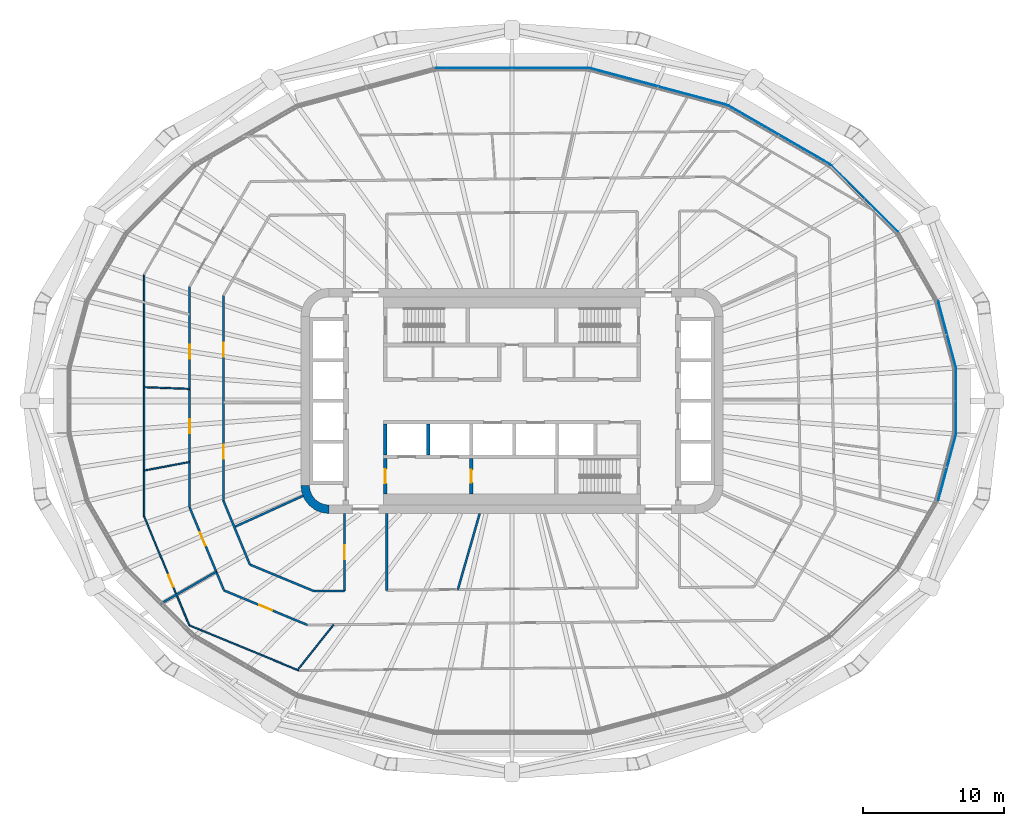
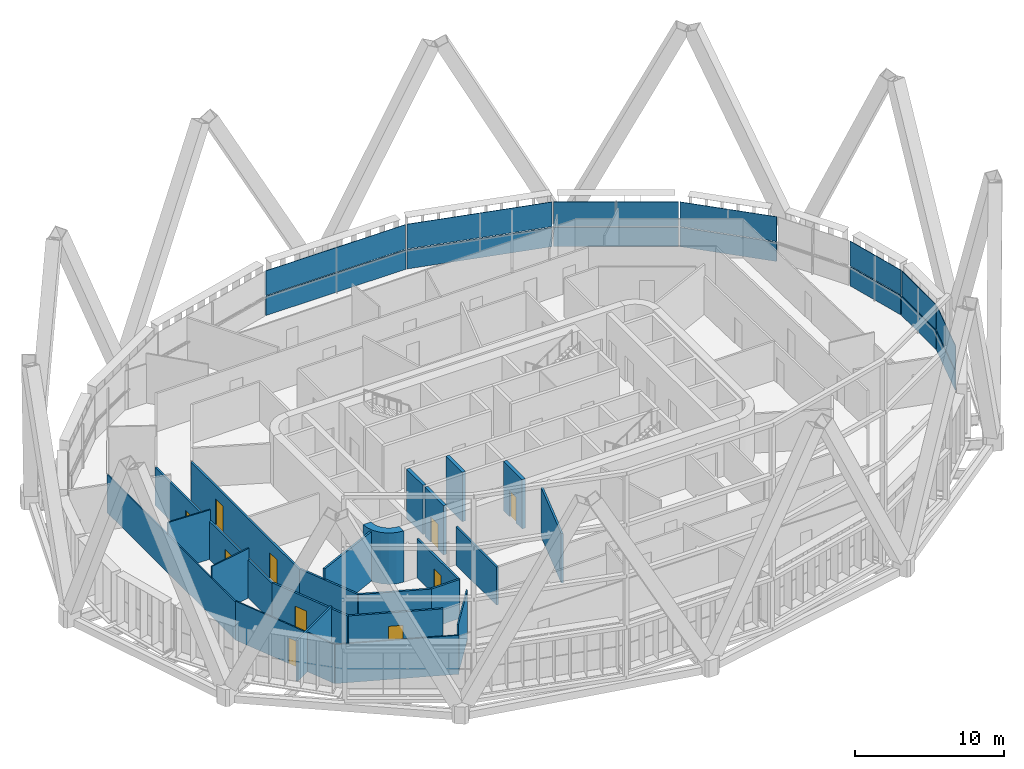
# One storey, part 13 of 25: 23 walls, 14 plates, 10 doors, 10 openings, 7 elements without a shape of their own.
"""IFC4 building model written with IfcOpenShell, lengths in metres."""

import ifcopenshell
import ifcopenshell.guid

model = None  # the IFC model being written
_history = None  # IfcOwnerHistory: only IFC2X3 demands one
_inside = {}  # id of a spatial element -> (the spatial element, [elements in it])
_under = {}  # id of a project, library or spatial element -> (it, [spatial elements below it])
_declared = {}  # id of a project -> (the project, [libraries it declares])
_typed = {}  # id of a type object -> (the type object, [elements of that type])
_made_of = {}  # id of a material, layer set ... -> (it, [elements and type objects made of it])


def new_model(schema):
    """Start an empty IFC model of exactly this schema.

    Asked for "IFC4X3", IfcOpenShell would pick the latest addendum, in which some entities
    have other attributes; the version numbers below select the first issue.
    IFC2X3 requires an IfcOwnerHistory on every rooted entity: one is made here for all.
    """
    global model, _history
    if schema == "IFC4X3":
        model = ifcopenshell.file(schema_version=(4, 3, 0, 0))
    else:
        model = ifcopenshell.file(schema=schema)
    _inside.clear()
    _under.clear()
    _declared.clear()
    _typed.clear()
    _made_of.clear()
    _history = None
    if model.schema == "IFC2X3":
        org = make("IfcOrganization", Name="unknown")
        user = make(
            "IfcPersonAndOrganization",
            ThePerson=make("IfcPerson", FamilyName="unknown"),
            TheOrganization=org,
        )
        app = make(
            "IfcApplication",
            ApplicationDeveloper=org,
            Version="unknown",
            ApplicationFullName="unknown",
            ApplicationIdentifier="unknown",
        )
        _history = make(
            "IfcOwnerHistory",
            OwningUser=user,
            OwningApplication=app,
            ChangeAction="ADDED",
            CreationDate=0,
        )
    return model


def make(cls, **values):
    """One entity of the class cls with the attributes given. An attribute that is None is left unset."""
    return model.create_entity(
        cls, **{name: value for name, value in values.items() if value is not None}
    )


def rooted(cls, **values):
    """An entity with a GlobalId (a new one), such as an element, a storey or a relation."""
    return make(cls, GlobalId=ifcopenshell.guid.new(), OwnerHistory=_history, **values)


def si_unit(unit_type, name, prefix=None):
    """IfcSIUnit, for example si_unit("LENGTHUNIT", "METRE", prefix="MILLI")."""
    return make("IfcSIUnit", UnitType=unit_type, Prefix=prefix, Name=name)


def assignment(units):
    """IfcUnitAssignment: the units of a project."""
    return None if units is None else make("IfcUnitAssignment", Units=units)


def point(xyz):
    """IfcCartesianPoint."""
    return None if xyz is None else make("IfcCartesianPoint", Coordinates=xyz)


def direction(xyz):
    """IfcDirection."""
    return None if xyz is None else make("IfcDirection", DirectionRatios=xyz)


def frame(location, z_axis=None, x_axis=None):
    """IfcAxis2Placement3D, a coordinate frame: its origin and axes. An axis left out is left unset."""
    return make(
        "IfcAxis2Placement3D",
        Location=point(location),
        Axis=direction(z_axis),
        RefDirection=direction(x_axis),
    )


def frame_2d(location, x_axis=None):
    """IfcAxis2Placement2D, a coordinate frame in the plane: its origin and x axis."""
    return make(
        "IfcAxis2Placement2D", Location=point(location), RefDirection=direction(x_axis)
    )


def origin():
    """The frame at (0, 0, 0) with its axes left unset."""
    return frame((0.0, 0.0, 0.0))


def place(relative_to, where):
    """IfcLocalPlacement: puts the frame where relative to a parent placement (None: the world)."""
    return make(
        "IfcLocalPlacement", PlacementRelTo=relative_to, RelativePlacement=where
    )


def context(
    kind, dimensions, precision=None, world=None, true_north=None, identifier=None
):
    """IfcGeometricRepresentationContext, for example the 3D "Model" context."""
    return make(
        "IfcGeometricRepresentationContext",
        ContextIdentifier=identifier,
        ContextType=kind,
        CoordinateSpaceDimension=dimensions,
        Precision=precision,
        WorldCoordinateSystem=world,
        TrueNorth=true_north,
    )


def subcontext(parent, identifier, kind, view, scale=None):
    """IfcGeometricRepresentationSubContext, for example "Body" below "Model"."""
    return make(
        "IfcGeometricRepresentationSubContext",
        ContextIdentifier=identifier,
        ContextType=kind,
        ParentContext=parent,
        TargetScale=scale,
        TargetView=view,
    )


def project(units=None, contexts=None):
    """IfcProject with its units and contexts."""
    return rooted(
        "IfcProject",
        Name="project",
        RepresentationContexts=contexts,
        UnitsInContext=assignment(units),
    )


def spatial(cls, under=None, at=None, **own):
    """A site, building, storey or space (cls), placed at a placement, below another one or the project."""
    s = rooted(cls, ObjectPlacement=at, **own)
    if under is not None:
        _under.setdefault(under.id(), (under, []))[1].append(s)
    return s


def polyline(points):
    """IfcPolyline through the points."""
    return make("IfcPolyline", Points=[point(p) for p in points])


def profile(cls, at=None, kind="AREA", **sizes):
    """A parametric profile (cls). Its sizes go by their IFC names, for example OverallWidth=200.0."""
    return make(cls, ProfileType=kind, Position=at, **sizes)


def rectangle(**sizes):
    """IfcRectangleProfileDef."""
    return profile("IfcRectangleProfileDef", **sizes)


def outline(outer, holes=None, kind="AREA"):
    """IfcArbitraryClosedProfileDef: a profile drawn as a closed curve; with holes, ...WithVoids."""
    if holes is None:
        return make("IfcArbitraryClosedProfileDef", ProfileType=kind, OuterCurve=outer)
    return make(
        "IfcArbitraryProfileDefWithVoids",
        ProfileType=kind,
        OuterCurve=outer,
        InnerCurves=holes,
    )


def extrude(swept, where, along, depth):
    """IfcExtrudedAreaSolid: the profile swept, set in the frame where, extruded along a direction by depth."""
    return make(
        "IfcExtrudedAreaSolid",
        SweptArea=swept,
        Position=where,
        ExtrudedDirection=direction(along),
        Depth=depth,
    )


def shape(context_of_items, identifier, shape_type, items):
    """IfcShapeRepresentation: the items that make up one representation, for example the "Body"."""
    return make(
        "IfcShapeRepresentation",
        ContextOfItems=context_of_items,
        RepresentationIdentifier=identifier,
        RepresentationType=shape_type,
        Items=items,
    )


def material(Name=None, Category=None):
    """IfcMaterial."""
    return make("IfcMaterial", Name=Name, Category=Category)


def layer(
    of_material, thickness, ventilated=None, Name=None, Category=None, Priority=None
):
    """IfcMaterialLayer: one layer of a wall or slab, of a material (None: an air gap)."""
    return make(
        "IfcMaterialLayer",
        Material=of_material,
        LayerThickness=thickness,
        IsVentilated=ventilated,
        Name=Name,
        Category=Category,
        Priority=Priority,
    )


def layer_set(layers, Name=None):
    """IfcMaterialLayerSet."""
    return make("IfcMaterialLayerSet", MaterialLayers=layers, LayerSetName=Name)


def made_of(thing, what):
    """Note that an element or type object is made of a material, layer set ...; save() writes the relation."""
    if what is not None:
        _made_of.setdefault(what.id(), (what, []))[1].append(thing)
    return thing


def type_object(cls, material=None, **own):
    """A type object (cls), such as IfcWallType, which elements share."""
    return made_of(rooted(cls, **own), material)


def element(
    cls,
    number,
    at=None,
    inside=None,
    cuts=None,
    type_object=None,
    material=None,
    context=None,
    identifier="Body",
    shape_type=None,
    held_by="IfcProductDefinitionShape",
    body=None,
    shapes=None,
    **own,
):
    """One element of the class cls, such as IfcWall. Its Tag is "e" and its number.

    at: its placement. inside: the storey or other place that contains it. cuts: it is an
    opening in that element (IfcRelVoidsElement). A single representation is given by context,
    identifier, shape_type and body (its items); several are given by shapes. held_by: the class
    of the entity that holds the representations. save() writes the other relations.
    """
    e = rooted(cls, Tag="e%d" % number, ObjectPlacement=at, **own)
    if body is not None:
        shapes = [shape(context, identifier, shape_type, body)]
    if shapes is not None:
        e.Representation = make(held_by, Representations=shapes)
    if inside is not None:
        _inside.setdefault(inside.id(), (inside, []))[1].append(e)
    if cuts is not None:
        rooted(
            "IfcRelVoidsElement", RelatingBuildingElement=cuts, RelatedOpeningElement=e
        )
    if type_object is not None:
        _typed.setdefault(type_object.id(), (type_object, []))[1].append(e)
    return made_of(e, material)


def fill(opening, filler):
    """IfcRelFillsElement: the door or window that sits in an opening."""
    return rooted(
        "IfcRelFillsElement",
        RelatingOpeningElement=opening,
        RelatedBuildingElement=filler,
    )


def aggregate(whole, parts):
    """IfcRelAggregates: a whole, such as a stair, and the parts it consists of."""
    return rooted("IfcRelAggregates", RelatingObject=whole, RelatedObjects=parts)


def save(model, path):
    """Write the relations noted so far, then the file.

    IfcRelAggregates (storeys below a building ...), IfcRelContainedInSpatialStructure (elements
    in a storey), IfcRelDefinesByType, IfcRelAssociatesMaterial and IfcRelDeclares: one each for
    every whole, place, type object, material and project.
    """
    for whole, parts in _under.values():
        aggregate(whole, parts)
    for where, things in _inside.values():
        rooted(
            "IfcRelContainedInSpatialStructure",
            RelatedElements=things,
            RelatingStructure=where,
        )
    for kind, things in _typed.values():
        rooted("IfcRelDefinesByType", RelatedObjects=things, RelatingType=kind)
    for what, things in _made_of.values():
        rooted("IfcRelAssociatesMaterial", RelatedObjects=things, RelatingMaterial=what)
    for by, libraries in _declared.values():
        rooted("IfcRelDeclares", RelatingContext=by, RelatedDefinitions=libraries)
    model.write(path)


model = new_model("IFC4")

# Units and contexts
model_context = context("Model", 3, precision=1e-05, world=origin(), true_north=direction((0.0, 1.0)))
body_context = subcontext(model_context, "Body", "Model", "MODEL_VIEW")
ifc_project = project(units=[si_unit("LENGTHUNIT", "METRE"), si_unit("AREAUNIT", "SQUARE_METRE"), si_unit("VOLUMEUNIT", "CUBIC_METRE"), si_unit("PLANEANGLEUNIT", "RADIAN"), si_unit("MASSUNIT", "GRAM", prefix="KILO")], contexts=[model_context])

# Site, building, storey
site_placement = place(None, origin())
site = spatial("IfcSite", under=ifc_project, at=site_placement, CompositionType="ELEMENT")
building_placement = place(site_placement, origin())
building = spatial("IfcBuilding", under=site, at=building_placement, Name="Sahrelin Media Tower", CompositionType="ELEMENT")
storey_placement = place(building_placement, frame((0.0, 0.0, 79.800048828125)))
storey = spatial("IfcBuildingStorey", under=building, at=storey_placement, Name="L14", CompositionType="ELEMENT", Elevation=79.800048828125)

# Curtain wall, plate
ifc_material_1 = material(Name="Champagne anodised aluminium 6063-T6", Category="aluminium")
ifc_layer_1 = layer(ifc_material_1, 0.14990234375)
ifc_layer_set_1 = layer_set([ifc_layer_1], Name="Tower ribbon curtain wall")
curtain_wall_type = type_object("IfcCurtainWallType", Name="Tower ribbon curtain wall", PredefinedType="NOTDEFINED", material=ifc_layer_set_1)
curtain_wall_1_placement = place(storey_placement, frame((31.552490234375, 0.0, 0.0), z_axis=(0.0, 0.0, 1.0), x_axis=(1.0, 0.0, 0.0)))
curtain_wall_1 = element("IfcCurtainWall", 1, at=curtain_wall_1_placement, inside=storey, type_object=curtain_wall_type, Name="L14:CW:L14-00", PredefinedType="NOTDEFINED")
ifc_material_2 = material(Name="Clear low-iron glazing", Category="glass")
ifc_layer_2 = layer(ifc_material_2, 0.0400390625)
ifc_layer_set_2 = layer_set([ifc_layer_2], Name="Glazing panel 40 mm CW1")
plate_type_1 = type_object("IfcPlateType", Name="Glazing panel 40 mm CW1", PredefinedType="CURTAIN_PANEL", material=ifc_layer_set_2)
plate_1_placement = place(storey_placement, frame((31.572509765625, -2.30419921875, 1.6298828125), z_axis=(1.0, 0.0, 0.0), x_axis=(0.0, 1.0, 0.0)))
plate_1 = element("IfcPlate", 2, at=plate_1_placement, type_object=plate_type_1, Name="L14:CWP2:L14-00", PredefinedType="CURTAIN_PANEL", context=body_context, shape_type="SweptSolid", body=[
    extrude(outline(polyline([(0.0, 0.0), (4.6083984375, 0.0), (4.6083984375, 2.0185546875), (0.0, 2.0185546875), (0.0, 0.0)])), origin(), (0.0, 0.0, -1.0), 0.0400390625),
])

curtain_wall_2_placement = place(storey_placement, frame((30.915283203125, 4.732666015625, 0.0), z_axis=(0.0, 0.0, 1.0), x_axis=(1.0, 0.0, 0.0)))
curtain_wall_2 = element("IfcCurtainWall", 3, at=curtain_wall_2_placement, inside=storey, type_object=curtain_wall_type, Name="L14:CW:L14-01", PredefinedType="NOTDEFINED")
plate_2_placement = place(storey_placement, frame((31.55908203125, 2.40771484375, 1.6298828125), z_axis=(0.965920945215, 0.258837260833, 0.0), x_axis=(-0.258837260833, 0.965920945215, 0.0)))
plate_2 = element("IfcPlate", 4, at=plate_2_placement, type_object=plate_type_1, Name="L14:CWP2:L14-01", PredefinedType="CURTAIN_PANEL", context=body_context, shape_type="SweptSolid", body=[
    extrude(outline(polyline([(0.0, 0.0), (4.824462890625, 0.0), (4.824462890625, 2.0185546875), (0.0, 2.0185546875), (0.0, 0.0)])), origin(), (0.0, 0.0, -1.0), 0.0400390625),
])

curtain_wall_3_placement = place(storey_placement, frame((25.067138671875, 14.373291015625, 0.0), z_axis=(0.0, 0.0, 1.0), x_axis=(1.0, 0.0, 0.0)))
curtain_wall_3 = element("IfcCurtainWall", 5, at=curtain_wall_3_placement, inside=storey, type_object=curtain_wall_type, Name="L14:CW:L14-03", PredefinedType="NOTDEFINED")
plate_3_placement = place(storey_placement, frame((27.454345703125, 12.014404296875, 1.6298828125), z_axis=(0.707106781187, 0.707106781187, 0.0), x_axis=(-0.707106781187, 0.707106781187, 0.0)))
plate_3 = element("IfcPlate", 6, at=plate_3_placement, type_object=plate_type_1, Name="L14:CWP2:L14-03", PredefinedType="CURTAIN_PANEL", context=body_context, shape_type="SweptSolid", body=[
    extrude(outline(polyline([(0.0, 0.0), (6.7119140625, 0.0), (6.7119140625, 2.0185546875), (0.0, 2.0185546875), (0.0, 0.0)])), origin(), (0.0, 0.0, -1.0), 0.0400390625),
])

curtain_wall_4_placement = place(storey_placement, frame((18.980712890625, 18.905029296875, 0.0), z_axis=(0.0, 0.0, 1.0), x_axis=(1.0, 0.0, 0.0)))
curtain_wall_4 = element("IfcCurtainWall", 7, at=curtain_wall_4_placement, inside=storey, type_object=curtain_wall_type, Name="L14:CW:L14-04", PredefinedType="NOTDEFINED")
plate_4_placement = place(storey_placement, frame((22.62548828125, 16.823974609375, 1.6298828125), z_axis=(0.500008632582, 0.866020419704, 0.0), x_axis=(-0.866020419704, 0.500008632582, 0.0)))
plate_4 = element("IfcPlate", 8, at=plate_4_placement, type_object=plate_type_1, Name="L14:CWP2:L14-04", PredefinedType="CURTAIN_PANEL", context=body_context, shape_type="SweptSolid", body=[
    extrude(outline(polyline([(0.0, 0.0), (8.393798828125, 0.0), (8.393798828125, 2.0185546875), (0.0, 2.0185546875), (0.0, 0.0)])), origin(), (0.0, 0.0, -1.0), 0.0400390625),
])

curtain_wall_5_placement = place(storey_placement, frame((10.385009765625, 22.346435546875, 0.0), z_axis=(0.0, 0.0, 1.0), x_axis=(1.0, 0.0, 0.0)))
curtain_wall_5 = element("IfcCurtainWall", 9, at=curtain_wall_5_placement, inside=storey, type_object=curtain_wall_type, Name="L14:CW:L14-05", PredefinedType="NOTDEFINED")
plate_5_placement = place(storey_placement, frame((15.259765625, 21.060791015625, 1.6298828125), z_axis=(0.258824439285, 0.965924380906, 0.0), x_axis=(-0.965924380906, 0.258824439285, 0.0)))
plate_5 = element("IfcPlate", 10, at=plate_5_placement, type_object=plate_type_1, Name="L14:CWP2:L14-05", PredefinedType="CURTAIN_PANEL", context=body_context, shape_type="SweptSolid", body=[
    extrude(outline(polyline([(0.0, 0.0), (10.08251953125, 0.0), (10.08251953125, 2.0185546875), (0.0, 2.0185546875), (0.0, 0.0)])), origin(), (0.0, 0.0, -1.0), 0.0400390625),
])

curtain_wall_6_placement = place(storey_placement, frame((0.0, 23.6640625, 0.0), z_axis=(0.0, 0.0, 1.0), x_axis=(1.0, 0.0, 0.0)))
curtain_wall_6 = element("IfcCurtainWall", 11, at=curtain_wall_6_placement, inside=storey, type_object=curtain_wall_type, Name="L14:CW:L14-06", PredefinedType="NOTDEFINED")
plate_6_placement = place(storey_placement, frame((5.417236328125, 23.68408203125, 1.6298828125), z_axis=(0.0, 1.0, 0.0), x_axis=(-1.0, 0.0, 0.0)))
plate_6 = element("IfcPlate", 12, at=plate_6_placement, type_object=plate_type_1, Name="L14:CWP2:L14-06", PredefinedType="CURTAIN_PANEL", context=body_context, shape_type="SweptSolid", body=[
    extrude(outline(polyline([(0.0, 0.0), (10.83447265625, 0.0), (10.83447265625, 2.0185546875), (0.0, 2.0185546875), (0.0, 0.0)])), origin(), (0.0, 0.0, -1.0), 0.0400390625),
])

curtain_wall_7_placement = place(storey_placement, frame((30.915283203125, -4.732666015625, 0.0), z_axis=(0.0, 0.0, 1.0), x_axis=(1.0, 0.0, 0.0)))
curtain_wall_7 = element("IfcCurtainWall", 13, at=curtain_wall_7_placement, inside=storey, type_object=curtain_wall_type, Name="L14:CW:L14-23", PredefinedType="NOTDEFINED")
plate_7_placement = place(storey_placement, frame((30.310302734375, -7.06787109375, 1.6298828125), z_axis=(0.965920945215, -0.258837260833, 0.0), x_axis=(0.258837260833, 0.965920945215, 0.0)))
plate_7 = element("IfcPlate", 14, at=plate_7_placement, type_object=plate_type_1, Name="L14:CWP2:L14-23", PredefinedType="CURTAIN_PANEL", context=body_context, shape_type="SweptSolid", body=[
    extrude(outline(polyline([(0.0, 0.0), (4.824462890625, 0.0), (4.824462890625, 2.0185546875), (0.0, 2.0185546875), (0.0, 0.0)])), origin(), (0.0, 0.0, -1.0), 0.0400390625),
])

# Plate
ifc_material_3 = material(Name="Insulated spandrel panel")
ifc_layer_3 = layer(ifc_material_3, 0.06005859375)
ifc_layer_set_3 = layer_set([ifc_layer_3], Name="Spandrel panel 60 mm CW1")
plate_type_2 = type_object("IfcPlateType", Name="Spandrel panel 60 mm CW1", PredefinedType="SHEET", material=ifc_layer_set_3)
plate_8_placement = place(storey_placement, frame((31.572509765625, -2.30419921875, 0.0), z_axis=(1.0, 0.0, 0.0), x_axis=(0.0, 1.0, 0.0)))
plate_8 = element("IfcPlate", 15, at=plate_8_placement, type_object=plate_type_2, Name="L14:CWP1:L14-00", PredefinedType="SHEET", context=body_context, shape_type="SweptSolid", body=[
    extrude(outline(polyline([(0.0, 0.0), (4.6083984375, 0.0), (4.6083984375, 1.570068359375), (0.0, 1.570068359375), (0.0, 0.0)])), origin(), (0.0, 0.0, -1.0), 0.06005859375),
])

aggregate(curtain_wall_1, [plate_8, plate_1])

plate_9_placement = place(storey_placement, frame((31.55908203125, 2.40771484375, 0.0), z_axis=(0.965920945215, 0.258837260833, 0.0), x_axis=(-0.258837260833, 0.965920945215, 0.0)))
plate_9 = element("IfcPlate", 16, at=plate_9_placement, type_object=plate_type_2, Name="L14:CWP1:L14-01", PredefinedType="SHEET", context=body_context, shape_type="SweptSolid", body=[
    extrude(outline(polyline([(0.0, 0.0), (4.824462890625, 0.0), (4.824462890625, 1.570068359375), (0.0, 1.570068359375), (0.0, 0.0)])), origin(), (0.0, 0.0, -1.0), 0.06005859375),
])

aggregate(curtain_wall_2, [plate_9, plate_2])

plate_10_placement = place(storey_placement, frame((27.454345703125, 12.014404296875, 0.0), z_axis=(0.707106781187, 0.707106781187, 0.0), x_axis=(-0.707106781187, 0.707106781187, 0.0)))
plate_10 = element("IfcPlate", 17, at=plate_10_placement, type_object=plate_type_2, Name="L14:CWP1:L14-03", PredefinedType="SHEET", context=body_context, shape_type="SweptSolid", body=[
    extrude(outline(polyline([(0.0, 0.0), (6.7119140625, 0.0), (6.7119140625, 1.570068359375), (0.0, 1.570068359375), (0.0, 0.0)])), origin(), (0.0, 0.0, -1.0), 0.06005859375),
])

aggregate(curtain_wall_3, [plate_10, plate_3])

plate_11_placement = place(storey_placement, frame((22.62548828125, 16.823974609375, 0.0), z_axis=(0.500008632582, 0.866020419704, 0.0), x_axis=(-0.866020419704, 0.500008632582, 0.0)))
plate_11 = element("IfcPlate", 18, at=plate_11_placement, type_object=plate_type_2, Name="L14:CWP1:L14-04", PredefinedType="SHEET", context=body_context, shape_type="SweptSolid", body=[
    extrude(outline(polyline([(0.0, 0.0), (8.393798828125, 0.0), (8.393798828125, 1.570068359375), (0.0, 1.570068359375), (0.0, 0.0)])), origin(), (0.0, 0.0, -1.0), 0.06005859375),
])

aggregate(curtain_wall_4, [plate_11, plate_4])

plate_12_placement = place(storey_placement, frame((15.259765625, 21.060791015625, 0.0), z_axis=(0.258824439285, 0.965924380906, 0.0), x_axis=(-0.965924380906, 0.258824439285, 0.0)))
plate_12 = element("IfcPlate", 19, at=plate_12_placement, type_object=plate_type_2, Name="L14:CWP1:L14-05", PredefinedType="SHEET", context=body_context, shape_type="SweptSolid", body=[
    extrude(outline(polyline([(0.0, 0.0), (10.08251953125, 0.0), (10.08251953125, 1.570068359375), (0.0, 1.570068359375), (0.0, 0.0)])), origin(), (0.0, 0.0, -1.0), 0.06005859375),
])

aggregate(curtain_wall_5, [plate_12, plate_5])

plate_13_placement = place(storey_placement, frame((5.417236328125, 23.68408203125, 0.0), z_axis=(0.0, 1.0, 0.0), x_axis=(-1.0, 0.0, 0.0)))
plate_13 = element("IfcPlate", 20, at=plate_13_placement, type_object=plate_type_2, Name="L14:CWP1:L14-06", PredefinedType="SHEET", context=body_context, shape_type="SweptSolid", body=[
    extrude(outline(polyline([(0.0, 0.0), (10.83447265625, 0.0), (10.83447265625, 1.570068359375), (0.0, 1.570068359375), (0.0, 0.0)])), origin(), (0.0, 0.0, -1.0), 0.06005859375),
])

aggregate(curtain_wall_6, [plate_13, plate_6])

plate_14_placement = place(storey_placement, frame((30.310302734375, -7.06787109375, 0.0), z_axis=(0.965920945215, -0.258837260833, 0.0), x_axis=(0.258837260833, 0.965920945215, 0.0)))
plate_14 = element("IfcPlate", 21, at=plate_14_placement, type_object=plate_type_2, Name="L14:CWP1:L14-23", PredefinedType="SHEET", context=body_context, shape_type="SweptSolid", body=[
    extrude(outline(polyline([(0.0, 0.0), (4.824462890625, 0.0), (4.824462890625, 1.570068359375), (0.0, 1.570068359375), (0.0, 0.0)])), origin(), (0.0, 0.0, -1.0), 0.06005859375),
])

aggregate(curtain_wall_7, [plate_14, plate_7])

# Wall
ifc_material_4 = material(Name="Concrete C60/75", Category="concrete")
ifc_layer_4 = layer(ifc_material_4, 0.60009765625)
ifc_layer_set_4 = layer_set([ifc_layer_4], Name="Core wall 600")
wall_type_1 = type_object("IfcWallType", Name="Core wall 600", PredefinedType="SHEAR", material=ifc_layer_set_4)
wall_1_placement = place(storey_placement, origin())
element("IfcWall", 22, at=wall_1_placement, inside=storey, type_object=wall_type_1, Name="Core wall corner SW L14", PredefinedType="SHEAR", context=body_context, shape_type="SweptSolid", body=[
    extrude(outline(polyline([(-13.0, -8.0), (-13.0, -7.394775390625), (-13.361083984375, -7.347412109375), (-13.697509765625, -7.2080078125), (-13.986328125, -6.986328125), (-14.2080078125, -6.697509765625), (-14.347412109375, -6.361083984375), (-14.394775390625, -6.0), (-15.0, -6.0), (-14.931884765625, -6.517578125), (-14.732177734375, -7.0), (-14.414306640625, -7.414306640625), (-14.0, -7.732177734375), (-13.517578125, -7.931884765625), (-13.0, -8.0)])), origin(), (0.0, 0.0, 1.0), 4.199951171875),
])

# Wall, opening, door
ifc_material_5 = material(Name="Fire-rated gypsum board partition")
ifc_layer_5 = layer(ifc_material_5, 0.14990234375)
ifc_layer_set_5 = layer_set([ifc_layer_5], Name="Fire-rated partition 150")
wall_type_2 = type_object("IfcWallType", Name="Fire-rated partition 150", PredefinedType="PARTITIONING", material=ifc_layer_set_5)
wall_2_placement = place(storey_placement, frame((-22.89990234375, -7.572021484375, 0.0), z_axis=(0.0, 0.0, 1.0), x_axis=(0.382860357704, -0.923806227788, 0.0)))
wall_2 = element("IfcWall", 23, at=wall_2_placement, inside=storey, type_object=wall_type_2, Name="Wall", PredefinedType="PARTITIONING", context=body_context, shape_type="SweptSolid", body=[
    extrude(rectangle(XDim=6.37353515625, YDim=0.14990234375, at=frame_2d((3.186767578125, 0.0))), origin(), (0.0, 0.0, 1.0), 3.195068359375),
])
opening_1_placement = place(wall_2_placement, frame((1.916259765625, 0.0, 0.0)))
opening_1 = element("IfcOpeningElement", 24, at=opening_1_placement, cuts=wall_2, Name="Opening L14-D55", PredefinedType="OPENING", context=body_context, shape_type="SweptSolid", body=[
    extrude(rectangle(XDim=1.0, YDim=2.10009765625, at=frame_2d((0.5, 1.050048828125))), frame((0.0, 0.074951171875, 0.0), z_axis=(0.0, -1.0, 0.0), x_axis=(1.0, 0.0, 0.0)), (0.0, 0.0, 1.0), 0.14990234375),
])
ifc_material_6 = material(Name="Steel fire door leaf", Category="steel")
door_type_1 = type_object("IfcDoorType", Name="Fire door 1000 x 2100 EI 60", OperationType="NOTDEFINED", PredefinedType="DOOR", material=ifc_material_6)
door_1_placement = place(opening_1_placement, origin())
door_1 = element("IfcDoor", 25, at=door_1_placement, inside=storey, type_object=door_type_1, Name="Fire door", OperationType="SINGLE_SWING_RIGHT", OverallHeight=2.10009765625, OverallWidth=1.0, PredefinedType="DOOR", context=body_context, shape_type="SweptSolid", body=[
    extrude(rectangle(XDim=1.0, YDim=2.10009765625, at=frame_2d((0.5, 1.050048828125))), frame((0.0, 0.02490234375, 0.0), z_axis=(0.0, -1.0, 0.0), x_axis=(1.0, 0.0, 0.0)), (0.0, 0.0, 1.0), 0.050048828125),
])
fill(opening_1, door_1)

# Wall
wall_3_placement = place(storey_placement, frame((-20.5, -7.094970703125, 0.0), z_axis=(0.0, 0.0, 1.0), x_axis=(0.382860567438, -0.923806140866, 0.0)))
element("IfcWall", 26, at=wall_3_placement, inside=storey, type_object=wall_type_2, Name="Wall", PredefinedType="PARTITIONING", context=body_context, shape_type="SweptSolid", body=[
    extrude(rectangle(XDim=4.90185546875, YDim=0.14990234375, at=frame_2d((2.450927734375, 0.0))), origin(), (0.0, 0.0, 1.0), 3.195068359375),
])

# Wall, opening, door
wall_4_placement = place(storey_placement, frame((-20.4599609375, -13.4599609375, 0.0), z_axis=(0.0, 0.0, 1.0), x_axis=(0.923801547606, -0.382871650349, 0.0)))
wall_4 = element("IfcWall", 27, at=wall_4_placement, inside=storey, type_object=wall_type_2, Name="Wall", PredefinedType="PARTITIONING", context=body_context, shape_type="SweptSolid", body=[
    extrude(rectangle(XDim=6.414794921875, YDim=0.14990234375, at=frame_2d((3.20751953125, 0.0))), origin(), (0.0, 0.0, 1.0), 3.195068359375),
])
opening_2_placement = place(wall_4_placement, frame((2.70703125, 0.0, 0.0)))
opening_2 = element("IfcOpeningElement", 28, at=opening_2_placement, cuts=wall_4, Name="Opening L14-D34", PredefinedType="OPENING", context=body_context, shape_type="SweptSolid", body=[
    extrude(rectangle(XDim=1.0, YDim=2.10009765625, at=frame_2d((0.5, 1.050048828125))), frame((0.0, 0.074951171875, 0.0), z_axis=(0.0, -1.0, 0.0), x_axis=(1.0, 0.0, 0.0)), (0.0, 0.0, 1.0), 0.14990234375),
])
door_2_placement = place(opening_2_placement, origin())
door_2 = element("IfcDoor", 29, at=door_2_placement, inside=storey, type_object=door_type_1, Name="Fire door", OperationType="SINGLE_SWING_LEFT", OverallHeight=2.10009765625, OverallWidth=1.0, PredefinedType="DOOR", context=body_context, shape_type="SweptSolid", body=[
    extrude(rectangle(XDim=1.0, YDim=2.10009765625, at=frame_2d((0.5, 1.050048828125))), frame((0.0, 0.02490234375, 0.0), z_axis=(0.0, -1.0, 0.0), x_axis=(1.0, 0.0, 0.0)), (0.0, 0.0, 1.0), 0.050048828125),
])
fill(opening_2, door_2)

# Walls
wall_5_placement = place(storey_placement, frame((-18.623046875, -11.623046875, 0.0), z_axis=(0.0, 0.0, 1.0), x_axis=(0.923791670587, -0.38289548098, 0.0)))
element("IfcWall", 30, at=wall_5_placement, inside=storey, type_object=wall_type_2, Name="Wall", PredefinedType="PARTITIONING", context=body_context, shape_type="SweptSolid", body=[
    extrude(rectangle(XDim=4.9306640625, YDim=0.14990234375, at=frame_2d((2.46533203125, 0.0))), origin(), (0.0, 0.0, 1.0), 3.195068359375),
])
wall_6_placement = place(storey_placement, frame((-14.068115234375, -13.510986328125, 0.0), z_axis=(0.0, 0.0, 1.0), x_axis=(0.999950911515, 0.009908307647, 0.0)))
element("IfcWall", 31, at=wall_6_placement, inside=storey, type_object=wall_type_2, Name="Wall", PredefinedType="PARTITIONING", context=body_context, shape_type="SweptSolid", body=[
    extrude(rectangle(XDim=2.168212890625, YDim=0.14990234375, at=frame_2d((1.083984375, 0.0))), origin(), (0.0, 0.0, 1.0), 3.195068359375),
])
wall_7_placement = place(storey_placement, frame((-19.72802734375, -8.9580078125, 0.0), z_axis=(0.0, 0.0, 1.0), x_axis=(0.910629511797, 0.413223779863, 0.0)))
element("IfcWall", 32, at=wall_7_placement, inside=storey, type_object=wall_type_2, Name="Wall", PredefinedType="PARTITIONING", context=body_context, shape_type="SweptSolid", body=[
    extrude(rectangle(XDim=5.3681640625, YDim=0.14990234375, at=frame_2d((2.68408203125, 0.0))), origin(), (0.0, 0.0, 1.0), 4.050048828125),
])
wall_8_placement = place(storey_placement, frame((-25.0048828125, -14.43603515625, 0.0), z_axis=(0.0, 0.0, 1.0), x_axis=(0.866022493768, 0.500005040262, 0.0)))
element("IfcWall", 33, at=wall_8_placement, inside=storey, type_object=wall_type_2, Name="Wall", PredefinedType="PARTITIONING", context=body_context, shape_type="SweptSolid", body=[
    extrude(rectangle(XDim=4.61181640625, YDim=0.14990234375, at=frame_2d((2.305908203125, 0.0))), origin(), (0.0, 0.0, 1.0), 3.35205078125),
])
wall_9_placement = place(storey_placement, frame((-3.845947265625, -13.39892578125, 0.0), z_axis=(0.0, 0.0, 1.0), x_axis=(0.275914969745, 0.961182048038, 0.0)))
element("IfcWall", 34, at=wall_9_placement, inside=storey, type_object=wall_type_2, Name="Wall", PredefinedType="PARTITIONING", context=body_context, shape_type="SweptSolid", body=[
    extrude(rectangle(XDim=5.616943359375, YDim=0.14990234375, at=frame_2d((2.80859375, 0.0))), origin(), (0.0, 0.0, 1.0), 4.050048828125),
])
wall_10_placement = place(storey_placement, frame((-8.89990234375, -13.448974609375, 0.0), z_axis=(0.0, 0.0, 1.0), x_axis=(0.0, 1.0, 0.0)))
element("IfcWall", 35, at=wall_10_placement, inside=storey, type_object=wall_type_2, Name="Wall", PredefinedType="PARTITIONING", context=body_context, shape_type="SweptSolid", body=[
    extrude(rectangle(XDim=5.448974609375, YDim=0.14990234375, at=frame_2d((2.724609375, 0.0))), origin(), (0.0, 0.0, 1.0), 3.126953125),
])

# Wall, opening, door
wall_11_placement = place(storey_placement, frame((-11.89990234375, -13.489990234375, 0.0), z_axis=(0.0, 0.0, 1.0), x_axis=(0.0, 1.0, 0.0)))
wall_11 = element("IfcWall", 36, at=wall_11_placement, inside=storey, type_object=wall_type_2, Name="Wall", PredefinedType="PARTITIONING", context=body_context, shape_type="SweptSolid", body=[
    extrude(rectangle(XDim=5.489990234375, YDim=0.14990234375, at=frame_2d((2.7451171875, 0.0))), origin(), (0.0, 0.0, 1.0), 3.195068359375),
])
opening_3_placement = place(wall_11_placement, frame((2.2451171875, 0.0, 0.0)))
opening_3 = element("IfcOpeningElement", 37, at=opening_3_placement, cuts=wall_11, Name="Opening L14-D33", PredefinedType="OPENING", context=body_context, shape_type="SweptSolid", body=[
    extrude(rectangle(XDim=1.0, YDim=2.10009765625, at=frame_2d((0.5, 1.050048828125))), frame((0.0, 0.074951171875, 0.0), z_axis=(0.0, -1.0, 0.0), x_axis=(1.0, 0.0, 0.0)), (0.0, 0.0, 1.0), 0.14990234375),
])
door_3_placement = place(opening_3_placement, origin())
door_3 = element("IfcDoor", 38, at=door_3_placement, inside=storey, type_object=door_type_1, Name="Fire door", OperationType="SINGLE_SWING_LEFT", OverallHeight=2.10009765625, OverallWidth=1.0, PredefinedType="DOOR", context=body_context, shape_type="SweptSolid", body=[
    extrude(rectangle(XDim=1.0, YDim=2.10009765625, at=frame_2d((0.5, 1.050048828125))), frame((0.0, 0.02490234375, 0.0), z_axis=(0.0, -1.0, 0.0), x_axis=(1.0, 0.0, 0.0)), (0.0, 0.0, 1.0), 0.050048828125),
])
fill(opening_3, door_3)

# Wall, openings, doors
wall_12_placement = place(storey_placement, frame((-20.5, -7.094970703125, 0.0), z_axis=(0.0, 0.0, 1.0), x_axis=(0.0, 1.0, 0.0)))
wall_12 = element("IfcWall", 39, at=wall_12_placement, inside=storey, type_object=wall_type_2, Name="Wall", PredefinedType="PARTITIONING", context=body_context, shape_type="SweptSolid", body=[
    extrude(rectangle(XDim=14.569091796875, YDim=0.14990234375, at=frame_2d((7.28466796875, 0.0))), origin(), (0.0, 0.0, 1.0), 3.1181640625),
])
opening_4_placement = place(wall_12_placement, frame((10.234375, 0.0, 0.0)))
opening_4 = element("IfcOpeningElement", 40, at=opening_4_placement, cuts=wall_12, Name="Opening L14-D31", PredefinedType="OPENING", context=body_context, shape_type="SweptSolid", body=[
    extrude(rectangle(XDim=1.0, YDim=2.10009765625, at=frame_2d((0.5, 1.050048828125))), frame((0.0, 0.074951171875, 0.0), z_axis=(0.0, -1.0, 0.0), x_axis=(1.0, 0.0, 0.0)), (0.0, 0.0, 1.0), 0.14990234375),
])
opening_5_placement = place(wall_12_placement, frame((3.00048828125, 0.0, 0.0)))
opening_5 = element("IfcOpeningElement", 41, at=opening_5_placement, cuts=wall_12, Name="Opening L14-D32", PredefinedType="OPENING", context=body_context, shape_type="SweptSolid", body=[
    extrude(rectangle(XDim=1.0, YDim=2.10009765625, at=frame_2d((0.5, 1.050048828125))), frame((0.0, 0.074951171875, 0.0), z_axis=(0.0, -1.0, 0.0), x_axis=(1.0, 0.0, 0.0)), (0.0, 0.0, 1.0), 0.14990234375),
])
door_4_placement = place(opening_4_placement, origin())
door_4 = element("IfcDoor", 42, at=door_4_placement, inside=storey, type_object=door_type_1, Name="Fire door", OperationType="SINGLE_SWING_RIGHT", OverallHeight=2.10009765625, OverallWidth=1.0, PredefinedType="DOOR", context=body_context, shape_type="SweptSolid", body=[
    extrude(rectangle(XDim=1.0, YDim=2.10009765625, at=frame_2d((0.5, 1.050048828125))), frame((0.0, 0.02490234375, 0.0), z_axis=(0.0, -1.0, 0.0), x_axis=(1.0, 0.0, 0.0)), (0.0, 0.0, 1.0), 0.050048828125),
])
fill(opening_4, door_4)
door_5_placement = place(opening_5_placement, origin())
door_5 = element("IfcDoor", 43, at=door_5_placement, inside=storey, type_object=door_type_1, Name="Fire door", OperationType="SINGLE_SWING_LEFT", OverallHeight=2.10009765625, OverallWidth=1.0, PredefinedType="DOOR", context=body_context, shape_type="SweptSolid", body=[
    extrude(rectangle(XDim=1.0, YDim=2.10009765625, at=frame_2d((0.5, 1.050048828125))), frame((0.0, 0.02490234375, 0.0), z_axis=(0.0, -1.0, 0.0), x_axis=(1.0, 0.0, 0.0)), (0.0, 0.0, 1.0), 0.050048828125),
])
fill(opening_5, door_5)

wall_13_placement = place(storey_placement, frame((-22.89990234375, -7.572021484375, 0.0), z_axis=(0.0, 0.0, 1.0), x_axis=(0.0, 1.0, 0.0)))
wall_13 = element("IfcWall", 44, at=wall_13_placement, inside=storey, type_object=wall_type_2, Name="Wall", PredefinedType="PARTITIONING", context=body_context, shape_type="SweptSolid", body=[
    extrude(rectangle(XDim=15.68896484375, YDim=0.14990234375, at=frame_2d((7.844482421875, 0.0))), origin(), (0.0, 0.0, 1.0), 3.1181640625),
])
opening_6_placement = place(wall_13_placement, frame((10.568603515625, 0.0, 0.0)))
opening_6 = element("IfcOpeningElement", 45, at=opening_6_placement, cuts=wall_13, Name="Opening L14-D53", PredefinedType="OPENING", context=body_context, shape_type="SweptSolid", body=[
    extrude(rectangle(XDim=1.0, YDim=2.10009765625, at=frame_2d((0.5, 1.050048828125))), frame((0.0, 0.074951171875, 0.0), z_axis=(0.0, -1.0, 0.0), x_axis=(1.0, 0.0, 0.0)), (0.0, 0.0, 1.0), 0.14990234375),
])
opening_7_placement = place(wall_13_placement, frame((5.282470703125, 0.0, 0.0)))
opening_7 = element("IfcOpeningElement", 46, at=opening_7_placement, cuts=wall_13, Name="Opening L14-D54", PredefinedType="OPENING", context=body_context, shape_type="SweptSolid", body=[
    extrude(rectangle(XDim=1.0, YDim=2.10009765625, at=frame_2d((0.5, 1.050048828125))), frame((0.0, 0.074951171875, 0.0), z_axis=(0.0, -1.0, 0.0), x_axis=(1.0, 0.0, 0.0)), (0.0, 0.0, 1.0), 0.14990234375),
])
door_6_placement = place(opening_6_placement, origin())
door_6 = element("IfcDoor", 47, at=door_6_placement, inside=storey, type_object=door_type_1, Name="Fire door", OperationType="SINGLE_SWING_LEFT", OverallHeight=2.10009765625, OverallWidth=1.0, PredefinedType="DOOR", context=body_context, shape_type="SweptSolid", body=[
    extrude(rectangle(XDim=1.0, YDim=2.10009765625, at=frame_2d((0.5, 1.050048828125))), frame((0.0, 0.02490234375, 0.0), z_axis=(0.0, -1.0, 0.0), x_axis=(1.0, 0.0, 0.0)), (0.0, 0.0, 1.0), 0.050048828125),
])
fill(opening_6, door_6)
door_7_placement = place(opening_7_placement, origin())
door_7 = element("IfcDoor", 48, at=door_7_placement, inside=storey, type_object=door_type_1, Name="Fire door", OperationType="SINGLE_SWING_LEFT", OverallHeight=2.10009765625, OverallWidth=1.0, PredefinedType="DOOR", context=body_context, shape_type="SweptSolid", body=[
    extrude(rectangle(XDim=1.0, YDim=2.10009765625, at=frame_2d((0.5, 1.050048828125))), frame((0.0, 0.02490234375, 0.0), z_axis=(0.0, -1.0, 0.0), x_axis=(1.0, 0.0, 0.0)), (0.0, 0.0, 1.0), 0.050048828125),
])
fill(opening_7, door_7)

# Wall, opening, door
ifc_layer_6 = layer(ifc_material_5, 0.25)
ifc_layer_set_6 = layer_set([ifc_layer_6], Name="Firefighting lobby wall 250")
wall_type_3 = type_object("IfcWallType", Name="Firefighting lobby wall 250", PredefinedType="PARTITIONING", material=ifc_layer_set_6)
wall_14_placement = place(storey_placement, frame((-9.0, -6.60009765625, 0.0), z_axis=(0.0, 0.0, 1.0), x_axis=(0.0, 1.0, 0.0)))
wall_14 = element("IfcWall", 49, at=wall_14_placement, inside=storey, type_object=wall_type_3, Name="Core wall", PredefinedType="PARTITIONING", context=body_context, shape_type="SweptSolid", body=[
    extrude(rectangle(XDim=2.5, YDim=0.25, at=frame_2d((1.25, 0.0))), origin(), (0.0, 0.0, 1.0), 4.050048828125),
])
opening_8_placement = place(wall_14_placement, frame((0.75, 0.0, 0.0)))
opening_8 = element("IfcOpeningElement", 50, at=opening_8_placement, cuts=wall_14, Name="Opening L14-D04", PredefinedType="OPENING", context=body_context, shape_type="SweptSolid", body=[
    extrude(rectangle(XDim=1.0, YDim=2.10009765625, at=frame_2d((0.5, 1.050048828125))), frame((0.0, 0.125, 0.0), z_axis=(0.0, -1.0, 0.0), x_axis=(1.0, 0.0, 0.0)), (0.0, 0.0, 1.0), 0.25),
])
door_type_2 = type_object("IfcDoorType", Name="Firefighting lobby door 1000 x 2100 EI 120", OperationType="NOTDEFINED", PredefinedType="DOOR", material=ifc_material_6)
door_8_placement = place(opening_8_placement, origin())
door_8 = element("IfcDoor", 51, at=door_8_placement, inside=storey, type_object=door_type_2, Name="Firefighting lobby door", OperationType="SINGLE_SWING_LEFT", OverallHeight=2.10009765625, OverallWidth=1.0, PredefinedType="DOOR", context=body_context, shape_type="SweptSolid", body=[
    extrude(rectangle(XDim=1.0, YDim=2.10009765625, at=frame_2d((0.5, 1.050048828125))), frame((0.0, 0.02490234375, 0.0), z_axis=(0.0, -1.0, 0.0), x_axis=(1.0, 0.0, 0.0)), (0.0, 0.0, 1.0), 0.050048828125),
])
fill(opening_8, door_8)

wall_15_placement = place(storey_placement, frame((-2.89990234375, -6.60009765625, 0.0), z_axis=(0.0, 0.0, 1.0), x_axis=(0.0, 1.0, 0.0)))
wall_15 = element("IfcWall", 52, at=wall_15_placement, inside=storey, type_object=wall_type_3, Name="Core wall", PredefinedType="PARTITIONING", context=body_context, shape_type="SweptSolid", body=[
    extrude(rectangle(XDim=2.5, YDim=0.25, at=frame_2d((1.25, 0.0))), origin(), (0.0, 0.0, 1.0), 4.050048828125),
])
opening_9_placement = place(wall_15_placement, frame((0.800048828125, 0.0, 0.0)))
opening_9 = element("IfcOpeningElement", 53, at=opening_9_placement, cuts=wall_15, Name="Opening L14-D05", PredefinedType="OPENING", context=body_context, shape_type="SweptSolid", body=[
    extrude(rectangle(XDim=0.89990234375, YDim=2.10009765625, at=frame_2d((0.449951171875, 1.050048828125))), frame((0.0, 0.125, 0.0), z_axis=(0.0, -1.0, 0.0), x_axis=(1.0, 0.0, 0.0)), (0.0, 0.0, 1.0), 0.25),
])
door_type_3 = type_object("IfcDoorType", Name="Firefighting lobby door 900 x 2100 EI 120", OperationType="NOTDEFINED", PredefinedType="DOOR", material=ifc_material_6)
door_9_placement = place(opening_9_placement, origin())
door_9 = element("IfcDoor", 54, at=door_9_placement, inside=storey, type_object=door_type_3, Name="Riser door", OperationType="SINGLE_SWING_RIGHT", OverallHeight=2.10009765625, OverallWidth=0.89990234375, PredefinedType="DOOR", context=body_context, shape_type="SweptSolid", body=[
    extrude(rectangle(XDim=0.89990234375, YDim=2.10009765625, at=frame_2d((0.449951171875, 1.050048828125))), frame((0.0, 0.02490234375, 0.0), z_axis=(0.0, -1.0, 0.0), x_axis=(1.0, 0.0, 0.0)), (0.0, 0.0, 1.0), 0.050048828125),
])
fill(opening_9, door_9)

# Walls
ifc_layer_7 = layer(ifc_material_4, 0.25)
ifc_layer_set_7 = layer_set([ifc_layer_7], Name="Lift shaft wall 250")
wall_type_4 = type_object("IfcWallType", Name="Lift shaft wall 250", PredefinedType="SOLIDWALL", material=ifc_layer_set_7)
for number, where, z_axis, x_axis, name in (
    (55, (-9.0, -3.85009765625, 0.0), (0.0, 0.0, 1.0), (0.0, 1.0, 0.0), "Lift shaft wall"),
    (56, (-5.949951171875, -3.85009765625, 0.0), (0.0, 0.0, 1.0), (0.0, 1.0, 0.0), "Lift shaft wall"),
):
    element("IfcWall", number, at=place(storey_placement, frame(where, z_axis=z_axis, x_axis=x_axis)), inside=storey, type_object=wall_type_4, Name=name, PredefinedType="SOLIDWALL", context=body_context, shape_type="SweptSolid", body=[
        extrude(rectangle(XDim=2.2001953125, YDim=0.25, at=frame_2d((1.10009765625, 0.0))), origin(), (0.0, 0.0, 1.0), 4.050048828125),
    ])

# Wall, opening, door
ifc_material_7 = material(Name="Gypsum board partition")
ifc_layer_8 = layer(ifc_material_7, 0.10009765625)
ifc_layer_set_8 = layer_set([ifc_layer_8], Name="Partition 100")
wall_type_5 = type_object("IfcWallType", Name="Partition 100", PredefinedType="PARTITIONING", material=ifc_layer_set_8)
wall_16_placement = place(storey_placement, frame((-26.1298828125, -8.215087890625, 0.0), z_axis=(0.0, 0.0, 1.0), x_axis=(0.382761353451, -0.923847252691, 0.0)))
wall_16 = element("IfcWall", 57, at=wall_16_placement, inside=storey, type_object=wall_type_5, Name="Wall", PredefinedType="PARTITIONING", context=body_context, shape_type="SweptSolid", body=[
    extrude(rectangle(XDim=8.353271484375, YDim=0.10009765625, at=frame_2d((4.1767578125, 0.0))), origin(), (0.0, 0.0, 1.0), 3.195068359375),
])
opening_10_placement = place(wall_16_placement, frame((4.49755859375, 0.0, 0.0)))
opening_10 = element("IfcOpeningElement", 58, at=opening_10_placement, cuts=wall_16, Name="Opening L14-D56", PredefinedType="OPENING", context=body_context, shape_type="SweptSolid", body=[
    extrude(rectangle(XDim=0.89990234375, YDim=2.10009765625, at=frame_2d((0.449951171875, 1.050048828125))), frame((0.0, 0.050048828125, 0.0), z_axis=(0.0, -1.0, 0.0), x_axis=(1.0, 0.0, 0.0)), (0.0, 0.0, 1.0), 0.10009765625),
])
ifc_material_8 = material(Name="Timber door leaf", Category="wood")
door_type_4 = type_object("IfcDoorType", Name="Single door 900 x 2100", OperationType="NOTDEFINED", PredefinedType="DOOR", material=ifc_material_8)
door_10_placement = place(opening_10_placement, origin())
door_10 = element("IfcDoor", 59, at=door_10_placement, inside=storey, type_object=door_type_4, Name="Single door", OperationType="SINGLE_SWING_RIGHT", OverallHeight=2.10009765625, OverallWidth=0.89990234375, PredefinedType="DOOR", context=body_context, shape_type="SweptSolid", body=[
    extrude(rectangle(XDim=0.89990234375, YDim=2.10009765625, at=frame_2d((0.449951171875, 1.050048828125))), frame((0.0, 0.02490234375, 0.0), z_axis=(0.0, -1.0, 0.0), x_axis=(1.0, 0.0, 0.0)), (0.0, 0.0, 1.0), 0.050048828125),
])
fill(opening_10, door_10)

# Walls
wall_17_placement = place(storey_placement, frame((-22.931884765625, -15.931884765625, 0.0), z_axis=(0.0, 0.0, 1.0), x_axis=(0.924240497819, -0.381810819897, 0.0)))
element("IfcWall", 60, at=wall_17_placement, inside=storey, type_object=wall_type_5, Name="Wall", PredefinedType="PARTITIONING", context=body_context, shape_type="SweptSolid", body=[
    extrude(rectangle(XDim=8.41162109375, YDim=0.10009765625, at=frame_2d((4.205810546875, 0.0))), origin(), (0.0, 0.0, 1.0), 3.195068359375),
])
wall_18_placement = place(storey_placement, frame((-26.1298828125, 0.97802734375, 0.0), z_axis=(0.0, 0.0, 1.0), x_axis=(0.999297969227, -0.037464232255, 0.0)))
element("IfcWall", 61, at=wall_18_placement, inside=storey, type_object=wall_type_5, Name="Wall", PredefinedType="PARTITIONING", context=body_context, shape_type="SweptSolid", body=[
    extrude(rectangle(XDim=3.232177734375, YDim=0.10009765625, at=frame_2d((1.6162109375, 0.0))), origin(), (0.0, 0.0, 1.0), 4.050048828125),
])
wall_19_placement = place(storey_placement, frame((-26.1298828125, -4.944091796875, 0.0), z_axis=(0.0, 0.0, 1.0), x_axis=(0.982569879067, 0.185893605994, 0.0)))
element("IfcWall", 62, at=wall_19_placement, inside=storey, type_object=wall_type_5, Name="Wall", PredefinedType="PARTITIONING", context=body_context, shape_type="SweptSolid", body=[
    extrude(rectangle(XDim=3.287353515625, YDim=0.10009765625, at=frame_2d((1.6435546875, 0.0))), origin(), (0.0, 0.0, 1.0), 4.050048828125),
])
wall_20_placement = place(storey_placement, frame((-15.24609375, -19.116943359375, 0.0), z_axis=(0.0, 0.0, 1.0), x_axis=(0.623646106515, 0.781706808099, 0.0)))
element("IfcWall", 63, at=wall_20_placement, inside=storey, type_object=wall_type_5, Name="Wall", PredefinedType="PARTITIONING", context=body_context, shape_type="SweptSolid", body=[
    extrude(rectangle(XDim=4.117919921875, YDim=0.10009765625, at=frame_2d((2.05908203125, 0.0))), origin(), (0.0, 0.0, 1.0), 4.050048828125),
])
wall_21_placement = place(storey_placement, frame((-26.1298828125, -8.215087890625, 0.0), z_axis=(0.0, 0.0, 1.0), x_axis=(0.0, 1.0, 0.0)))
element("IfcWall", 64, at=wall_21_placement, inside=storey, type_object=wall_type_5, Name="Wall", PredefinedType="PARTITIONING", context=body_context, shape_type="SweptSolid", body=[
    extrude(rectangle(XDim=17.197998046875, YDim=0.10009765625, at=frame_2d((8.59912109375, 0.0))), origin(), (0.0, 0.0, 1.0), 3.1181640625),
])

save(model, "model.ifc")
